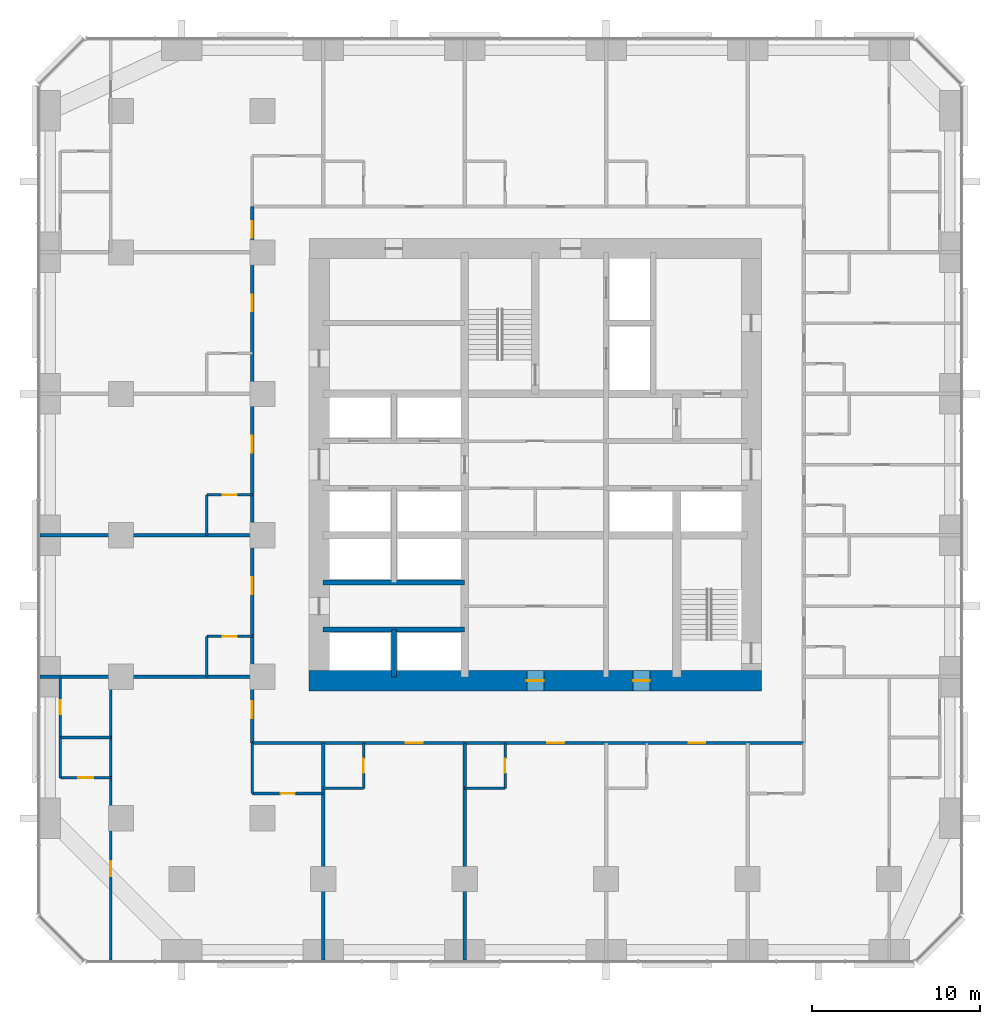
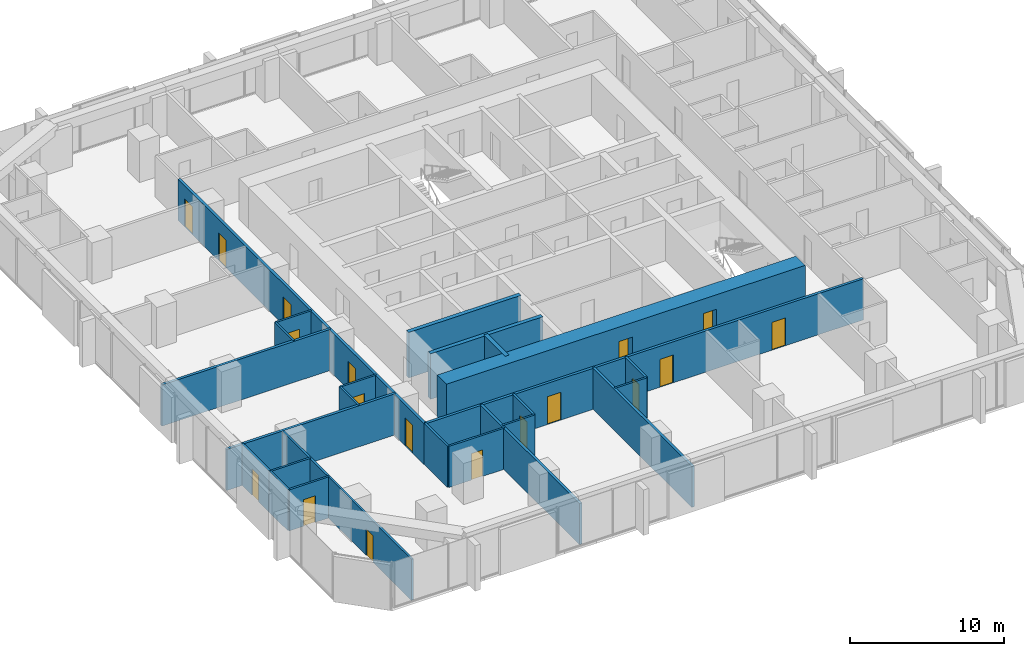
# One storey, part 8 of 13: 25 walls, 18 doors, 18 openings.
"""IFC4 building model written with IfcOpenShell, lengths in metres."""

import ifcopenshell
import ifcopenshell.guid

model = None  # the IFC model being written
_history = None  # IfcOwnerHistory: only IFC2X3 demands one
_inside = {}  # id of a spatial element -> (the spatial element, [elements in it])
_under = {}  # id of a project, library or spatial element -> (it, [spatial elements below it])
_declared = {}  # id of a project -> (the project, [libraries it declares])
_typed = {}  # id of a type object -> (the type object, [elements of that type])
_made_of = {}  # id of a material, layer set ... -> (it, [elements and type objects made of it])


def new_model(schema):
    """Start an empty IFC model of exactly this schema.

    Asked for "IFC4X3", IfcOpenShell would pick the latest addendum, in which some entities
    have other attributes; the version numbers below select the first issue.
    IFC2X3 requires an IfcOwnerHistory on every rooted entity: one is made here for all.
    """
    global model, _history
    if schema == "IFC4X3":
        model = ifcopenshell.file(schema_version=(4, 3, 0, 0))
    else:
        model = ifcopenshell.file(schema=schema)
    _inside.clear()
    _under.clear()
    _declared.clear()
    _typed.clear()
    _made_of.clear()
    _history = None
    if model.schema == "IFC2X3":
        org = make("IfcOrganization", Name="unknown")
        user = make(
            "IfcPersonAndOrganization",
            ThePerson=make("IfcPerson", FamilyName="unknown"),
            TheOrganization=org,
        )
        app = make(
            "IfcApplication",
            ApplicationDeveloper=org,
            Version="unknown",
            ApplicationFullName="unknown",
            ApplicationIdentifier="unknown",
        )
        _history = make(
            "IfcOwnerHistory",
            OwningUser=user,
            OwningApplication=app,
            ChangeAction="ADDED",
            CreationDate=0,
        )
    return model


def make(cls, **values):
    """One entity of the class cls with the attributes given. An attribute that is None is left unset."""
    return model.create_entity(
        cls, **{name: value for name, value in values.items() if value is not None}
    )


def rooted(cls, **values):
    """An entity with a GlobalId (a new one), such as an element, a storey or a relation."""
    return make(cls, GlobalId=ifcopenshell.guid.new(), OwnerHistory=_history, **values)


def si_unit(unit_type, name, prefix=None):
    """IfcSIUnit, for example si_unit("LENGTHUNIT", "METRE", prefix="MILLI")."""
    return make("IfcSIUnit", UnitType=unit_type, Prefix=prefix, Name=name)


def assignment(units):
    """IfcUnitAssignment: the units of a project."""
    return None if units is None else make("IfcUnitAssignment", Units=units)


def point(xyz):
    """IfcCartesianPoint."""
    return None if xyz is None else make("IfcCartesianPoint", Coordinates=xyz)


def direction(xyz):
    """IfcDirection."""
    return None if xyz is None else make("IfcDirection", DirectionRatios=xyz)


def frame(location, z_axis=None, x_axis=None):
    """IfcAxis2Placement3D, a coordinate frame: its origin and axes. An axis left out is left unset."""
    return make(
        "IfcAxis2Placement3D",
        Location=point(location),
        Axis=direction(z_axis),
        RefDirection=direction(x_axis),
    )


def frame_2d(location, x_axis=None):
    """IfcAxis2Placement2D, a coordinate frame in the plane: its origin and x axis."""
    return make(
        "IfcAxis2Placement2D", Location=point(location), RefDirection=direction(x_axis)
    )


def origin():
    """The frame at (0, 0, 0) with its axes left unset."""
    return frame((0.0, 0.0, 0.0))


def place(relative_to, where):
    """IfcLocalPlacement: puts the frame where relative to a parent placement (None: the world)."""
    return make(
        "IfcLocalPlacement", PlacementRelTo=relative_to, RelativePlacement=where
    )


def context(
    kind, dimensions, precision=None, world=None, true_north=None, identifier=None
):
    """IfcGeometricRepresentationContext, for example the 3D "Model" context."""
    return make(
        "IfcGeometricRepresentationContext",
        ContextIdentifier=identifier,
        ContextType=kind,
        CoordinateSpaceDimension=dimensions,
        Precision=precision,
        WorldCoordinateSystem=world,
        TrueNorth=true_north,
    )


def subcontext(parent, identifier, kind, view, scale=None):
    """IfcGeometricRepresentationSubContext, for example "Body" below "Model"."""
    return make(
        "IfcGeometricRepresentationSubContext",
        ContextIdentifier=identifier,
        ContextType=kind,
        ParentContext=parent,
        TargetScale=scale,
        TargetView=view,
    )


def project(units=None, contexts=None):
    """IfcProject with its units and contexts."""
    return rooted(
        "IfcProject",
        Name="project",
        RepresentationContexts=contexts,
        UnitsInContext=assignment(units),
    )


def spatial(cls, under=None, at=None, **own):
    """A site, building, storey or space (cls), placed at a placement, below another one or the project."""
    s = rooted(cls, ObjectPlacement=at, **own)
    if under is not None:
        _under.setdefault(under.id(), (under, []))[1].append(s)
    return s


def profile(cls, at=None, kind="AREA", **sizes):
    """A parametric profile (cls). Its sizes go by their IFC names, for example OverallWidth=200.0."""
    return make(cls, ProfileType=kind, Position=at, **sizes)


def rectangle(**sizes):
    """IfcRectangleProfileDef."""
    return profile("IfcRectangleProfileDef", **sizes)


def extrude(swept, where, along, depth):
    """IfcExtrudedAreaSolid: the profile swept, set in the frame where, extruded along a direction by depth."""
    return make(
        "IfcExtrudedAreaSolid",
        SweptArea=swept,
        Position=where,
        ExtrudedDirection=direction(along),
        Depth=depth,
    )


def shape(context_of_items, identifier, shape_type, items):
    """IfcShapeRepresentation: the items that make up one representation, for example the "Body"."""
    return make(
        "IfcShapeRepresentation",
        ContextOfItems=context_of_items,
        RepresentationIdentifier=identifier,
        RepresentationType=shape_type,
        Items=items,
    )


def material(Name=None, Category=None):
    """IfcMaterial."""
    return make("IfcMaterial", Name=Name, Category=Category)


def layer(
    of_material, thickness, ventilated=None, Name=None, Category=None, Priority=None
):
    """IfcMaterialLayer: one layer of a wall or slab, of a material (None: an air gap)."""
    return make(
        "IfcMaterialLayer",
        Material=of_material,
        LayerThickness=thickness,
        IsVentilated=ventilated,
        Name=Name,
        Category=Category,
        Priority=Priority,
    )


def layer_set(layers, Name=None):
    """IfcMaterialLayerSet."""
    return make("IfcMaterialLayerSet", MaterialLayers=layers, LayerSetName=Name)


def made_of(thing, what):
    """Note that an element or type object is made of a material, layer set ...; save() writes the relation."""
    if what is not None:
        _made_of.setdefault(what.id(), (what, []))[1].append(thing)
    return thing


def type_object(cls, material=None, **own):
    """A type object (cls), such as IfcWallType, which elements share."""
    return made_of(rooted(cls, **own), material)


def element(
    cls,
    number,
    at=None,
    inside=None,
    cuts=None,
    type_object=None,
    material=None,
    context=None,
    identifier="Body",
    shape_type=None,
    held_by="IfcProductDefinitionShape",
    body=None,
    shapes=None,
    **own,
):
    """One element of the class cls, such as IfcWall. Its Tag is "e" and its number.

    at: its placement. inside: the storey or other place that contains it. cuts: it is an
    opening in that element (IfcRelVoidsElement). A single representation is given by context,
    identifier, shape_type and body (its items); several are given by shapes. held_by: the class
    of the entity that holds the representations. save() writes the other relations.
    """
    e = rooted(cls, Tag="e%d" % number, ObjectPlacement=at, **own)
    if body is not None:
        shapes = [shape(context, identifier, shape_type, body)]
    if shapes is not None:
        e.Representation = make(held_by, Representations=shapes)
    if inside is not None:
        _inside.setdefault(inside.id(), (inside, []))[1].append(e)
    if cuts is not None:
        rooted(
            "IfcRelVoidsElement", RelatingBuildingElement=cuts, RelatedOpeningElement=e
        )
    if type_object is not None:
        _typed.setdefault(type_object.id(), (type_object, []))[1].append(e)
    return made_of(e, material)


def fill(opening, filler):
    """IfcRelFillsElement: the door or window that sits in an opening."""
    return rooted(
        "IfcRelFillsElement",
        RelatingOpeningElement=opening,
        RelatedBuildingElement=filler,
    )


def aggregate(whole, parts):
    """IfcRelAggregates: a whole, such as a stair, and the parts it consists of."""
    return rooted("IfcRelAggregates", RelatingObject=whole, RelatedObjects=parts)


def save(model, path):
    """Write the relations noted so far, then the file.

    IfcRelAggregates (storeys below a building ...), IfcRelContainedInSpatialStructure (elements
    in a storey), IfcRelDefinesByType, IfcRelAssociatesMaterial and IfcRelDeclares: one each for
    every whole, place, type object, material and project.
    """
    for whole, parts in _under.values():
        aggregate(whole, parts)
    for where, things in _inside.values():
        rooted(
            "IfcRelContainedInSpatialStructure",
            RelatedElements=things,
            RelatingStructure=where,
        )
    for kind, things in _typed.values():
        rooted("IfcRelDefinesByType", RelatedObjects=things, RelatingType=kind)
    for what, things in _made_of.values():
        rooted("IfcRelAssociatesMaterial", RelatedObjects=things, RelatingMaterial=what)
    for by, libraries in _declared.values():
        rooted("IfcRelDeclares", RelatingContext=by, RelatedDefinitions=libraries)
    model.write(path)


model = new_model("IFC4")

# Units and contexts
model_context = context("Model", 3, precision=1e-05, world=origin(), true_north=direction((0.0, 1.0)))
body_context = subcontext(model_context, "Body", "Model", "MODEL_VIEW")
ifc_project = project(units=[si_unit("LENGTHUNIT", "METRE"), si_unit("AREAUNIT", "SQUARE_METRE"), si_unit("VOLUMEUNIT", "CUBIC_METRE"), si_unit("PLANEANGLEUNIT", "RADIAN"), si_unit("MASSUNIT", "GRAM", prefix="KILO")], contexts=[model_context])

# Site, building, storey
site_placement = place(None, origin())
site = spatial("IfcSite", under=ifc_project, at=site_placement, CompositionType="ELEMENT")
building_placement = place(site_placement, origin())
building = spatial("IfcBuilding", under=site, at=building_placement, Name="Dunama Terrace Hotel", CompositionType="ELEMENT")
storey_placement = place(building_placement, frame((0.0, 0.0, 111.60009765625)))
storey = spatial("IfcBuildingStorey", under=building, at=storey_placement, Name="L28", CompositionType="ELEMENT", Elevation=111.60009765625)

# Wall, opening, door
ifc_material_1 = material(Name="Gypsum board partition", Category="masonry")
ifc_layer_1 = layer(ifc_material_1, 0.14990234375)
ifc_layer_set_1 = layer_set([ifc_layer_1], Name="Bathroom partition 150")
wall_type_1 = type_object("IfcWallType", Name="Bathroom partition 150", PredefinedType="PARTITIONING", material=ifc_layer_set_1)
wall_1_placement = place(storey_placement, frame((1.199951171875, 13.199951171875, 0.0), z_axis=(0.0, 0.0, 1.0), x_axis=(0.0, 1.0, 0.0)))
wall_1 = element("IfcWall", 1, at=wall_1_placement, inside=storey, type_object=wall_type_1, Name="Bathroom partition 150 L28", PredefinedType="PARTITIONING", context=body_context, shape_type="SweptSolid", body=[
    extrude(rectangle(XDim=3.60009765625, YDim=0.14990234375, at=frame_2d((1.800048828125, 0.0))), origin(), (0.0, 0.0, 1.0), 3.25),
])
opening_1_placement = place(wall_1_placement, frame((1.375, 0.0, 0.0)))
opening_1 = element("IfcOpeningElement", 2, at=opening_1_placement, cuts=wall_1, Name="Opening L28-29-044", PredefinedType="OPENING", context=body_context, shape_type="SweptSolid", body=[
    extrude(rectangle(XDim=0.85009765625, YDim=2.10009765625, at=frame_2d((0.425048828125, 1.050048828125))), frame((0.0, 0.0849609375, 0.0), z_axis=(0.0, -1.0, 0.0), x_axis=(1.0, 0.0, 0.0)), (0.0, 0.0, 1.0), 0.169921875),
])
ifc_material_2 = material(Name="Timber door with steel frame", Category="steel")
door_type_1 = type_object("IfcDoorType", Name="Bathroom door 850", OperationType="SINGLE_SWING_LEFT", PredefinedType="DOOR", material=ifc_material_2)
door_1_placement = place(opening_1_placement, frame((0.85009765625, 0.0, 0.0), z_axis=(0.0, 0.0, 1.0), x_axis=(-1.0, 0.0, 0.0)))
door_1 = element("IfcDoor", 3, at=door_1_placement, inside=storey, type_object=door_type_1, Name="Door to en-suite bathroom L28-29-044, type D2", OperationType="SINGLE_SWING_LEFT", OverallHeight=2.10009765625, OverallWidth=0.85009765625, PredefinedType="DOOR", context=body_context, shape_type="SweptSolid", body=[
    extrude(rectangle(XDim=0.85009765625, YDim=2.10009765625, at=frame_2d((0.425048828125, 1.050048828125))), frame((0.0, 0.025146484375, 0.0), z_axis=(0.0, -1.0, 0.0), x_axis=(1.0, 0.0, 0.0)), (0.0, 0.0, 1.0), 0.050048828125),
])
fill(opening_1, door_1)

# Walls
wall_2_placement = place(storey_placement, frame((9.89990234375, 16.800048828125, 0.0), z_axis=(0.0, 0.0, 1.0), x_axis=(0.0, 1.0, 0.0)))
element("IfcWall", 4, at=wall_2_placement, inside=storey, type_object=wall_type_1, Name="Bathroom partition 150 L28", PredefinedType="PARTITIONING", context=body_context, shape_type="SweptSolid", body=[
    extrude(rectangle(XDim=2.39990234375, YDim=0.14990234375, at=frame_2d((1.199951171875, 0.0))), origin(), (0.0, 0.0, 1.0), 3.25),
])
wall_3_placement = place(storey_placement, frame((9.89990234375, 25.199951171875, 0.0), z_axis=(0.0, 0.0, 1.0), x_axis=(0.0, 1.0, 0.0)))
element("IfcWall", 5, at=wall_3_placement, inside=storey, type_object=wall_type_1, Name="Bathroom partition 150 L28", PredefinedType="PARTITIONING", context=body_context, shape_type="SweptSolid", body=[
    extrude(rectangle(XDim=2.400146484375, YDim=0.14990234375, at=frame_2d((1.2001953125, 0.0))), origin(), (0.0, 0.0, 1.0), 3.25),
])
wall_4_placement = place(storey_placement, frame((12.60009765625, 9.875, 0.0), z_axis=(0.0, 0.0, 1.0), x_axis=(0.0, 1.0, 0.0)))
element("IfcWall", 6, at=wall_4_placement, inside=storey, type_object=wall_type_1, Name="Bathroom partition 150 L28", PredefinedType="PARTITIONING", context=body_context, shape_type="SweptSolid", body=[
    extrude(rectangle(XDim=3.0, YDim=0.14990234375, at=frame_2d((1.5, 0.0))), origin(), (0.0, 0.0, 1.0), 3.25),
])

# Wall, opening, door
wall_5_placement = place(storey_placement, frame((19.199951171875, 10.175048828125, 0.0), z_axis=(0.0, 0.0, 1.0), x_axis=(0.0, 1.0, 0.0)))
wall_5 = element("IfcWall", 7, at=wall_5_placement, inside=storey, type_object=wall_type_1, Name="Bathroom partition 150 L28", PredefinedType="PARTITIONING", context=body_context, shape_type="SweptSolid", body=[
    extrude(rectangle(XDim=2.699951171875, YDim=0.14990234375, at=frame_2d((1.35009765625, 0.0))), origin(), (0.0, 0.0, 1.0), 3.25),
])
opening_2_placement = place(wall_5_placement, frame((0.925048828125, 0.0, 0.0)))
opening_2 = element("IfcOpeningElement", 8, at=opening_2_placement, cuts=wall_5, Name="Opening L28-29-012", PredefinedType="OPENING", context=body_context, shape_type="SweptSolid", body=[
    extrude(rectangle(XDim=0.85009765625, YDim=2.10009765625, at=frame_2d((0.425048828125, 1.050048828125))), frame((0.0, 0.0849609375, 0.0), z_axis=(0.0, -1.0, 0.0), x_axis=(1.0, 0.0, 0.0)), (0.0, 0.0, 1.0), 0.169921875),
])
door_2_placement = place(opening_2_placement, origin())
door_2 = element("IfcDoor", 9, at=door_2_placement, inside=storey, type_object=door_type_1, Name="Door to en-suite bathroom L28-29-012, type D2", OperationType="SINGLE_SWING_RIGHT", OverallHeight=2.10009765625, OverallWidth=0.85009765625, PredefinedType="DOOR", context=body_context, shape_type="SweptSolid", body=[
    extrude(rectangle(XDim=0.85009765625, YDim=2.10009765625, at=frame_2d((0.425048828125, 1.050048828125))), frame((0.0, 0.02490234375, 0.0), z_axis=(0.0, -1.0, 0.0), x_axis=(1.0, 0.0, 0.0)), (0.0, 0.0, 1.0), 0.050048828125),
])
fill(opening_2, door_2)

wall_6_placement = place(storey_placement, frame((27.60009765625, 10.175048828125, 0.0), z_axis=(0.0, 0.0, 1.0), x_axis=(0.0, 1.0, 0.0)))
wall_6 = element("IfcWall", 10, at=wall_6_placement, inside=storey, type_object=wall_type_1, Name="Bathroom partition 150 L28", PredefinedType="PARTITIONING", context=body_context, shape_type="SweptSolid", body=[
    extrude(rectangle(XDim=2.699951171875, YDim=0.14990234375, at=frame_2d((1.35009765625, 0.0))), origin(), (0.0, 0.0, 1.0), 3.25),
])
opening_3_placement = place(wall_6_placement, frame((0.925048828125, 0.0, 0.0)))
opening_3 = element("IfcOpeningElement", 11, at=opening_3_placement, cuts=wall_6, Name="Opening L28-29-014", PredefinedType="OPENING", context=body_context, shape_type="SweptSolid", body=[
    extrude(rectangle(XDim=0.85009765625, YDim=2.10009765625, at=frame_2d((0.425048828125, 1.050048828125))), frame((0.0, 0.0849609375, 0.0), z_axis=(0.0, -1.0, 0.0), x_axis=(1.0, 0.0, 0.0)), (0.0, 0.0, 1.0), 0.169921875),
])
door_3_placement = place(opening_3_placement, origin())
door_3 = element("IfcDoor", 12, at=door_3_placement, inside=storey, type_object=door_type_1, Name="Door to en-suite bathroom L28-29-014, type D2", OperationType="SINGLE_SWING_RIGHT", OverallHeight=2.10009765625, OverallWidth=0.85009765625, PredefinedType="DOOR", context=body_context, shape_type="SweptSolid", body=[
    extrude(rectangle(XDim=0.85009765625, YDim=2.10009765625, at=frame_2d((0.425048828125, 1.050048828125))), frame((0.0, 0.02490234375, 0.0), z_axis=(0.0, -1.0, 0.0), x_axis=(1.0, 0.0, 0.0)), (0.0, 0.0, 1.0), 0.050048828125),
])
fill(opening_3, door_3)

wall_7_placement = place(storey_placement, frame((12.60009765625, 9.875, 0.0), z_axis=(0.0, 0.0, 1.0), x_axis=(1.0, 0.0, 0.0)))
wall_7 = element("IfcWall", 13, at=wall_7_placement, inside=storey, type_object=wall_type_1, Name="Bathroom partition 150 L28", PredefinedType="PARTITIONING", context=body_context, shape_type="SweptSolid", body=[
    extrude(rectangle(XDim=4.199951171875, YDim=0.14990234375, at=frame_2d((2.10009765625, 0.0))), origin(), (0.0, 0.0, 1.0), 3.25),
])
opening_4_placement = place(wall_7_placement, frame((1.675048828125, 0.0, 0.0)))
opening_4 = element("IfcOpeningElement", 14, at=opening_4_placement, cuts=wall_7, Name="Opening L28-29-042", PredefinedType="OPENING", context=body_context, shape_type="SweptSolid", body=[
    extrude(rectangle(XDim=0.85009765625, YDim=2.10009765625, at=frame_2d((0.425048828125, 1.050048828125))), frame((0.0, 0.0849609375, 0.0), z_axis=(0.0, -1.0, 0.0), x_axis=(1.0, 0.0, 0.0)), (0.0, 0.0, 1.0), 0.169921875),
])
door_4_placement = place(opening_4_placement, origin())
door_4 = element("IfcDoor", 15, at=door_4_placement, inside=storey, type_object=door_type_1, Name="Door to powder room L28-29-042, type D2", OperationType="SINGLE_SWING_LEFT", OverallHeight=2.10009765625, OverallWidth=0.85009765625, PredefinedType="DOOR", context=body_context, shape_type="SweptSolid", body=[
    extrude(rectangle(XDim=0.85009765625, YDim=2.10009765625, at=frame_2d((0.425048828125, 1.050048828125))), frame((0.0, 0.02490234375, 0.0), z_axis=(0.0, -1.0, 0.0), x_axis=(1.0, 0.0, 0.0)), (0.0, 0.0, 1.0), 0.050048828125),
])
fill(opening_4, door_4)

# Walls
wall_8_placement = place(storey_placement, frame((16.800048828125, 10.175048828125, 0.0), z_axis=(0.0, 0.0, 1.0), x_axis=(1.0, 0.0, 0.0)))
element("IfcWall", 16, at=wall_8_placement, inside=storey, type_object=wall_type_1, Name="Bathroom partition 150 L28", PredefinedType="PARTITIONING", context=body_context, shape_type="SweptSolid", body=[
    extrude(rectangle(XDim=2.39990234375, YDim=0.14990234375, at=frame_2d((1.199951171875, 0.0))), origin(), (0.0, 0.0, 1.0), 3.25),
])
wall_9_placement = place(storey_placement, frame((25.199951171875, 10.175048828125, 0.0), z_axis=(0.0, 0.0, 1.0), x_axis=(1.0, 0.0, 0.0)))
element("IfcWall", 17, at=wall_9_placement, inside=storey, type_object=wall_type_1, Name="Bathroom partition 150 L28", PredefinedType="PARTITIONING", context=body_context, shape_type="SweptSolid", body=[
    extrude(rectangle(XDim=2.400146484375, YDim=0.14990234375, at=frame_2d((1.2001953125, 0.0))), origin(), (0.0, 0.0, 1.0), 3.25),
])

# Wall, opening, door
wall_10_placement = place(storey_placement, frame((9.89990234375, 19.199951171875, 0.0), z_axis=(0.0, 0.0, 1.0), x_axis=(1.0, 0.0, 0.0)))
wall_10 = element("IfcWall", 18, at=wall_10_placement, inside=storey, type_object=wall_type_1, Name="Bathroom partition 150 L28", PredefinedType="PARTITIONING", context=body_context, shape_type="SweptSolid", body=[
    extrude(rectangle(XDim=2.7001953125, YDim=0.14990234375, at=frame_2d((1.35009765625, 0.0))), origin(), (0.0, 0.0, 1.0), 3.25),
])
opening_5_placement = place(wall_10_placement, frame((0.925048828125, 0.0, 0.0)))
opening_5 = element("IfcOpeningElement", 19, at=opening_5_placement, cuts=wall_10, Name="Opening L28-29-036", PredefinedType="OPENING", context=body_context, shape_type="SweptSolid", body=[
    extrude(rectangle(XDim=0.85009765625, YDim=2.10009765625, at=frame_2d((0.425048828125, 1.050048828125))), frame((0.0, 0.0849609375, 0.0), z_axis=(0.0, -1.0, 0.0), x_axis=(1.0, 0.0, 0.0)), (0.0, 0.0, 1.0), 0.169921875),
])
door_5_placement = place(opening_5_placement, frame((0.85009765625, 0.0, 0.0), z_axis=(0.0, 0.0, 1.0), x_axis=(-1.0, 0.0, 0.0)))
door_5 = element("IfcDoor", 20, at=door_5_placement, inside=storey, type_object=door_type_1, Name="Door to en-suite bathroom L28-29-036, type D2", OperationType="SINGLE_SWING_LEFT", OverallHeight=2.10009765625, OverallWidth=0.85009765625, PredefinedType="DOOR", context=body_context, shape_type="SweptSolid", body=[
    extrude(rectangle(XDim=0.85009765625, YDim=2.10009765625, at=frame_2d((0.425048828125, 1.050048828125))), frame((0.0, 0.025146484375, 0.0), z_axis=(0.0, -1.0, 0.0), x_axis=(1.0, 0.0, 0.0)), (0.0, 0.0, 1.0), 0.050048828125),
])
fill(opening_5, door_5)

wall_11_placement = place(storey_placement, frame((9.89990234375, 27.60009765625, 0.0), z_axis=(0.0, 0.0, 1.0), x_axis=(1.0, 0.0, 0.0)))
wall_11 = element("IfcWall", 21, at=wall_11_placement, inside=storey, type_object=wall_type_1, Name="Bathroom partition 150 L28", PredefinedType="PARTITIONING", context=body_context, shape_type="SweptSolid", body=[
    extrude(rectangle(XDim=2.7001953125, YDim=0.14990234375, at=frame_2d((1.35009765625, 0.0))), origin(), (0.0, 0.0, 1.0), 3.25),
])
opening_6_placement = place(wall_11_placement, frame((0.925048828125, 0.0, 0.0)))
opening_6 = element("IfcOpeningElement", 22, at=opening_6_placement, cuts=wall_11, Name="Opening L28-29-038", PredefinedType="OPENING", context=body_context, shape_type="SweptSolid", body=[
    extrude(rectangle(XDim=0.85009765625, YDim=2.10009765625, at=frame_2d((0.425048828125, 1.050048828125))), frame((0.0, 0.0849609375, 0.0), z_axis=(0.0, -1.0, 0.0), x_axis=(1.0, 0.0, 0.0)), (0.0, 0.0, 1.0), 0.169921875),
])
door_6_placement = place(opening_6_placement, frame((0.85009765625, 0.0, 0.0), z_axis=(0.0, 0.0, 1.0), x_axis=(-1.0, 0.0, 0.0)))
door_6 = element("IfcDoor", 23, at=door_6_placement, inside=storey, type_object=door_type_1, Name="Door to en-suite bathroom L28-29-038, type D2", OperationType="SINGLE_SWING_LEFT", OverallHeight=2.10009765625, OverallWidth=0.85009765625, PredefinedType="DOOR", context=body_context, shape_type="SweptSolid", body=[
    extrude(rectangle(XDim=0.85009765625, YDim=2.10009765625, at=frame_2d((0.425048828125, 1.050048828125))), frame((0.0, 0.025146484375, 0.0), z_axis=(0.0, -1.0, 0.0), x_axis=(1.0, 0.0, 0.0)), (0.0, 0.0, 1.0), 0.050048828125),
])
fill(opening_6, door_6)

# Walls
ifc_material_3 = material(Name="Concrete C50/60", Category="concrete")
ifc_layer_2 = layer(ifc_material_3, 0.300048828125)
ifc_layer_set_2 = layer_set([ifc_layer_2], Name="Core inner wall 300")
wall_type_2 = type_object("IfcWallType", Name="Core inner wall 300", PredefinedType="SHEAR", material=ifc_layer_set_2)
wall_12_placement = place(storey_placement, frame((21.0, 16.800048828125, -0.35009765625), z_axis=(0.0, 0.0, 1.0), x_axis=(0.0, 1.0, 0.0)))
element("IfcWall", 24, at=wall_12_placement, inside=storey, type_object=wall_type_2, Name="Core inner wall 300 L28", PredefinedType="SHEAR", context=body_context, shape_type="SweptSolid", body=[
    extrude(rectangle(XDim=2.800048828125, YDim=0.300048828125, at=frame_2d((1.39990234375, 0.0))), origin(), (0.0, 0.0, 1.0), 3.60009765625),
])
for number, where, z_axis, x_axis, name in (
    (25, (16.800048828125, 19.60009765625, -0.35009765625), (0.0, 0.0, 1.0), (1.0, 0.0, 0.0), "Core inner wall 300 L28"),
    (26, (16.800048828125, 22.39990234375, -0.35009765625), (0.0, 0.0, 1.0), (1.0, 0.0, 0.0), "Core inner wall 300 L28"),
):
    element("IfcWall", number, at=place(storey_placement, frame(where, z_axis=z_axis, x_axis=x_axis)), inside=storey, type_object=wall_type_2, Name=name, PredefinedType="SHEAR", context=body_context, shape_type="SweptSolid", body=[
        extrude(rectangle(XDim=8.39990234375, YDim=0.300048828125, at=frame_2d((4.199951171875, 0.0))), origin(), (0.0, 0.0, 1.0), 3.60009765625),
    ])

# Wall, openings, doors
ifc_material_4 = material(Name="Concrete C60/75", Category="concrete")
ifc_layer_3 = layer(ifc_material_4, 1.199951171875)
ifc_layer_set_3 = layer_set([ifc_layer_3], Name="Core wall 1200")
wall_type_3 = type_object("IfcWallType", Name="Core wall 1200", PredefinedType="SHEAR", material=ifc_layer_set_3)
wall_13_placement = place(storey_placement, frame((15.97509765625, 16.574951171875, -0.35009765625), z_axis=(0.0, 0.0, 1.0), x_axis=(1.0, 0.0, 0.0)))
wall_13 = element("IfcWall", 27, at=wall_13_placement, inside=storey, type_object=wall_type_3, Name="Core wall south L28", PredefinedType="SHEAR", context=body_context, shape_type="SweptSolid", body=[
    extrude(rectangle(XDim=26.849853515625, YDim=1.199951171875, at=frame_2d((13.4248046875, 0.0))), origin(), (0.0, 0.0, 1.0), 3.60009765625),
])
opening_7_placement = place(wall_13_placement, frame((12.925048828125, 0.0, 0.35009765625)))
opening_7 = element("IfcOpeningElement", 28, at=opening_7_placement, cuts=wall_13, Name="Opening L28-29-074", PredefinedType="OPENING", context=body_context, shape_type="SweptSolid", body=[
    extrude(rectangle(XDim=1.0, YDim=2.10009765625, at=frame_2d((0.5, 1.050048828125))), frame((0.0, 0.60986328125, 0.0), z_axis=(0.0, -1.0, 0.0), x_axis=(1.0, 0.0, 0.0)), (0.0, 0.0, 1.0), 1.219970703125),
])
opening_8_placement = place(wall_13_placement, frame((19.22509765625, 0.0, 0.35009765625)))
opening_8 = element("IfcOpeningElement", 29, at=opening_8_placement, cuts=wall_13, Name="Opening L28-29-076", PredefinedType="OPENING", context=body_context, shape_type="SweptSolid", body=[
    extrude(rectangle(XDim=1.0, YDim=2.10009765625, at=frame_2d((0.5, 1.050048828125))), frame((0.0, 0.60986328125, 0.0), z_axis=(0.0, -1.0, 0.0), x_axis=(1.0, 0.0, 0.0)), (0.0, 0.0, 1.0), 1.219970703125),
])
ifc_material_5 = material(Name="Timber door with steel frame", Category="steel")
door_type_2 = type_object("IfcDoorType", Name="Service door 1000", OperationType="SINGLE_SWING_LEFT", PredefinedType="DOOR", material=ifc_material_5)
door_7_placement = place(opening_7_placement, origin())
door_7 = element("IfcDoor", 30, at=door_7_placement, inside=storey, type_object=door_type_2, Name="Door to corridor air handling room L28-29-074, type D7", OperationType="SINGLE_SWING_LEFT", OverallHeight=2.10009765625, OverallWidth=1.0, PredefinedType="DOOR", context=body_context, shape_type="SweptSolid", body=[
    extrude(rectangle(XDim=1.0, YDim=2.10009765625, at=frame_2d((0.5, 1.050048828125))), frame((0.0, 0.02490234375, 0.0), z_axis=(0.0, -1.0, 0.0), x_axis=(1.0, 0.0, 0.0)), (0.0, 0.0, 1.0), 0.050048828125),
])
fill(opening_7, door_7)
door_8_placement = place(opening_8_placement, origin())
door_8 = element("IfcDoor", 31, at=door_8_placement, inside=storey, type_object=door_type_2, Name="Door to water riser room L28-29-076, type D7", OperationType="SINGLE_SWING_RIGHT", OverallHeight=2.10009765625, OverallWidth=1.0, PredefinedType="DOOR", context=body_context, shape_type="SweptSolid", body=[
    extrude(rectangle(XDim=1.0, YDim=2.10009765625, at=frame_2d((0.5, 1.050048828125))), frame((0.0, 0.02490234375, 0.0), z_axis=(0.0, -1.0, 0.0), x_axis=(1.0, 0.0, 0.0)), (0.0, 0.0, 1.0), 0.050048828125),
])
fill(opening_8, door_8)

ifc_material_6 = material(Name="Concrete blockwork", Category="masonry")
ifc_layer_4 = layer(ifc_material_6, 0.199951171875)
ifc_layer_set_4 = layer_set([ifc_layer_4], Name="Corridor partition 200")
wall_type_4 = type_object("IfcWallType", Name="Corridor partition 200", PredefinedType="PARTITIONING", material=ifc_layer_set_4)
wall_14_placement = place(storey_placement, frame((12.60009765625, 12.875, 0.0), z_axis=(0.0, 0.0, 1.0), x_axis=(0.0, 1.0, 0.0)))
wall_14 = element("IfcWall", 32, at=wall_14_placement, inside=storey, type_object=wall_type_4, Name="Corridor partition 200 L28", PredefinedType="PARTITIONING", context=body_context, shape_type="SweptSolid", body=[
    extrude(rectangle(XDim=31.85009765625, YDim=0.199951171875, at=frame_2d((15.925048828125, 0.0))), origin(), (0.0, 0.0, 1.0), 3.25),
])
opening_9_placement = place(wall_14_placement, frame((8.824951171875, 0.0, 0.0)))
opening_9 = element("IfcOpeningElement", 33, at=opening_9_placement, cuts=wall_14, Name="Opening L28-29-035", PredefinedType="OPENING", context=body_context, shape_type="SweptSolid", body=[
    extrude(rectangle(XDim=1.0, YDim=2.199951171875, at=frame_2d((0.5, 1.10009765625))), frame((0.0, 0.10986328125, 0.0), z_axis=(0.0, -1.0, 0.0), x_axis=(1.0, 0.0, 0.0)), (0.0, 0.0, 1.0), 0.219970703125),
])
opening_10_placement = place(wall_14_placement, frame((17.22509765625, 0.0, 0.0)))
opening_10 = element("IfcOpeningElement", 34, at=opening_10_placement, cuts=wall_14, Name="Opening L28-29-037", PredefinedType="OPENING", context=body_context, shape_type="SweptSolid", body=[
    extrude(rectangle(XDim=1.0, YDim=2.199951171875, at=frame_2d((0.5, 1.10009765625))), frame((0.0, 0.10986328125, 0.0), z_axis=(0.0, -1.0, 0.0), x_axis=(1.0, 0.0, 0.0)), (0.0, 0.0, 1.0), 0.219970703125),
])
opening_11_placement = place(wall_14_placement, frame((25.625, 0.0, 0.0)))
opening_11 = element("IfcOpeningElement", 35, at=opening_11_placement, cuts=wall_14, Name="Opening L28-29-039", PredefinedType="OPENING", context=body_context, shape_type="SweptSolid", body=[
    extrude(rectangle(XDim=1.0, YDim=2.199951171875, at=frame_2d((0.5, 1.10009765625))), frame((0.0, 0.10986328125, 0.0), z_axis=(0.0, -1.0, 0.0), x_axis=(1.0, 0.0, 0.0)), (0.0, 0.0, 1.0), 0.219970703125),
])
opening_12_placement = place(wall_14_placement, frame((1.462890625, 0.0, 0.0)))
opening_12 = element("IfcOpeningElement", 36, at=opening_12_placement, cuts=wall_14, Name="Opening L28-29-041", PredefinedType="OPENING", context=body_context, shape_type="SweptSolid", body=[
    extrude(rectangle(XDim=1.0, YDim=2.199951171875, at=frame_2d((0.5, 1.10009765625))), frame((0.0, 0.10986328125, 0.0), z_axis=(0.0, -1.0, 0.0), x_axis=(1.0, 0.0, 0.0)), (0.0, 0.0, 1.0), 0.219970703125),
])
opening_13_placement = place(wall_14_placement, frame((29.987060546875, 0.0, 0.0)))
opening_13 = element("IfcOpeningElement", 37, at=opening_13_placement, cuts=wall_14, Name="Opening L28-29-056", PredefinedType="OPENING", context=body_context, shape_type="SweptSolid", body=[
    extrude(rectangle(XDim=1.0, YDim=2.199951171875, at=frame_2d((0.5, 1.10009765625))), frame((0.0, 0.10986328125, 0.0), z_axis=(0.0, -1.0, 0.0), x_axis=(1.0, 0.0, 0.0)), (0.0, 0.0, 1.0), 0.219970703125),
])
ifc_material_7 = material(Name="Timber door with steel frame", Category="steel")
door_type_3 = type_object("IfcDoorType", Name="Guest room door 1000", OperationType="SINGLE_SWING_LEFT", PredefinedType="DOOR", material=ifc_material_7)
door_9_placement = place(opening_9_placement, origin())
door_9 = element("IfcDoor", 38, at=door_9_placement, inside=storey, type_object=door_type_3, Name="Door to junior suite L28-29-035, type D1", OperationType="SINGLE_SWING_RIGHT", OverallHeight=2.199951171875, OverallWidth=1.0, PredefinedType="DOOR", context=body_context, shape_type="SweptSolid", body=[
    extrude(rectangle(XDim=1.0, YDim=2.199951171875, at=frame_2d((0.5, 1.10009765625))), frame((0.0, 0.02490234375, 0.0), z_axis=(0.0, -1.0, 0.0), x_axis=(1.0, 0.0, 0.0)), (0.0, 0.0, 1.0), 0.050048828125),
])
fill(opening_9, door_9)
door_10_placement = place(opening_10_placement, origin())
door_10 = element("IfcDoor", 39, at=door_10_placement, inside=storey, type_object=door_type_3, Name="Door to junior suite L28-29-037, type D1", OperationType="SINGLE_SWING_RIGHT", OverallHeight=2.199951171875, OverallWidth=1.0, PredefinedType="DOOR", context=body_context, shape_type="SweptSolid", body=[
    extrude(rectangle(XDim=1.0, YDim=2.199951171875, at=frame_2d((0.5, 1.10009765625))), frame((0.0, 0.02490234375, 0.0), z_axis=(0.0, -1.0, 0.0), x_axis=(1.0, 0.0, 0.0)), (0.0, 0.0, 1.0), 0.050048828125),
])
fill(opening_10, door_10)
door_11_placement = place(opening_11_placement, origin())
door_11 = element("IfcDoor", 40, at=door_11_placement, inside=storey, type_object=door_type_3, Name="Door to junior suite L28-29-039, type D1", OperationType="SINGLE_SWING_RIGHT", OverallHeight=2.199951171875, OverallWidth=1.0, PredefinedType="DOOR", context=body_context, shape_type="SweptSolid", body=[
    extrude(rectangle(XDim=1.0, YDim=2.199951171875, at=frame_2d((0.5, 1.10009765625))), frame((0.0, 0.02490234375, 0.0), z_axis=(0.0, -1.0, 0.0), x_axis=(1.0, 0.0, 0.0)), (0.0, 0.0, 1.0), 0.050048828125),
])
fill(opening_11, door_11)
door_12_placement = place(opening_12_placement, origin())
door_12 = element("IfcDoor", 41, at=door_12_placement, inside=storey, type_object=door_type_3, Name="Door to corner suite living room L28-29-041, type D1", OperationType="SINGLE_SWING_RIGHT", OverallHeight=2.199951171875, OverallWidth=1.0, PredefinedType="DOOR", context=body_context, shape_type="SweptSolid", body=[
    extrude(rectangle(XDim=1.0, YDim=2.199951171875, at=frame_2d((0.5, 1.10009765625))), frame((0.0, 0.02490234375, 0.0), z_axis=(0.0, -1.0, 0.0), x_axis=(1.0, 0.0, 0.0)), (0.0, 0.0, 1.0), 0.050048828125),
])
fill(opening_12, door_12)
door_13_placement = place(opening_13_placement, origin())
door_13 = element("IfcDoor", 42, at=door_13_placement, inside=storey, type_object=door_type_3, Name="Door to corner suite living room L28-29-056, type D1", OperationType="SINGLE_SWING_LEFT", OverallHeight=2.199951171875, OverallWidth=1.0, PredefinedType="DOOR", context=body_context, shape_type="SweptSolid", body=[
    extrude(rectangle(XDim=1.0, YDim=2.199951171875, at=frame_2d((0.5, 1.10009765625))), frame((0.0, 0.02490234375, 0.0), z_axis=(0.0, -1.0, 0.0), x_axis=(1.0, 0.0, 0.0)), (0.0, 0.0, 1.0), 0.050048828125),
])
fill(opening_13, door_13)

wall_15_placement = place(storey_placement, frame((45.324951171875, 12.875, 0.0), z_axis=(0.0, 0.0, 1.0), x_axis=(-1.0, 0.0, 0.0)))
wall_15 = element("IfcWall", 43, at=wall_15_placement, inside=storey, type_object=wall_type_4, Name="Corridor partition 200 L28", PredefinedType="PARTITIONING", context=body_context, shape_type="SweptSolid", body=[
    extrude(rectangle(XDim=32.724853515625, YDim=0.199951171875, at=frame_2d((16.3623046875, 0.0))), origin(), (0.0, 0.0, 1.0), 3.25),
])
opening_14_placement = place(wall_15_placement, frame((22.625, 0.0, 0.0)))
opening_14 = element("IfcOpeningElement", 44, at=opening_14_placement, cuts=wall_15, Name="Opening L28-29-011", PredefinedType="OPENING", context=body_context, shape_type="SweptSolid", body=[
    extrude(rectangle(XDim=1.0, YDim=2.199951171875, at=frame_2d((0.5, 1.10009765625))), frame((0.0, 0.10986328125, 0.0), z_axis=(0.0, -1.0, 0.0), x_axis=(1.0, 0.0, 0.0)), (0.0, 0.0, 1.0), 0.219970703125),
])
opening_15_placement = place(wall_15_placement, frame((14.22509765625, 0.0, 0.0)))
opening_15 = element("IfcOpeningElement", 45, at=opening_15_placement, cuts=wall_15, Name="Opening L28-29-013", PredefinedType="OPENING", context=body_context, shape_type="SweptSolid", body=[
    extrude(rectangle(XDim=1.0, YDim=2.199951171875, at=frame_2d((0.5, 1.10009765625))), frame((0.0, 0.10986328125, 0.0), z_axis=(0.0, -1.0, 0.0), x_axis=(1.0, 0.0, 0.0)), (0.0, 0.0, 1.0), 0.219970703125),
])
opening_16_placement = place(wall_15_placement, frame((5.824951171875, 0.0, 0.0)))
opening_16 = element("IfcOpeningElement", 46, at=opening_16_placement, cuts=wall_15, Name="Opening L28-29-015", PredefinedType="OPENING", context=body_context, shape_type="SweptSolid", body=[
    extrude(rectangle(XDim=1.0, YDim=2.199951171875, at=frame_2d((0.5, 1.10009765625))), frame((0.0, 0.10986328125, 0.0), z_axis=(0.0, -1.0, 0.0), x_axis=(1.0, 0.0, 0.0)), (0.0, 0.0, 1.0), 0.219970703125),
])
door_14_placement = place(opening_14_placement, origin())
door_14 = element("IfcDoor", 47, at=door_14_placement, inside=storey, type_object=door_type_3, Name="Door to junior suite L28-29-011, type D1", OperationType="SINGLE_SWING_LEFT", OverallHeight=2.199951171875, OverallWidth=1.0, PredefinedType="DOOR", context=body_context, shape_type="SweptSolid", body=[
    extrude(rectangle(XDim=1.0, YDim=2.199951171875, at=frame_2d((0.5, 1.10009765625))), frame((0.0, 0.02490234375, 0.0), z_axis=(0.0, -1.0, 0.0), x_axis=(1.0, 0.0, 0.0)), (0.0, 0.0, 1.0), 0.050048828125),
])
fill(opening_14, door_14)
door_15_placement = place(opening_15_placement, origin())
door_15 = element("IfcDoor", 48, at=door_15_placement, inside=storey, type_object=door_type_3, Name="Door to junior suite L28-29-013, type D1", OperationType="SINGLE_SWING_LEFT", OverallHeight=2.199951171875, OverallWidth=1.0, PredefinedType="DOOR", context=body_context, shape_type="SweptSolid", body=[
    extrude(rectangle(XDim=1.0, YDim=2.199951171875, at=frame_2d((0.5, 1.10009765625))), frame((0.0, 0.02490234375, 0.0), z_axis=(0.0, -1.0, 0.0), x_axis=(1.0, 0.0, 0.0)), (0.0, 0.0, 1.0), 0.050048828125),
])
fill(opening_15, door_15)
door_16_placement = place(opening_16_placement, origin())
door_16 = element("IfcDoor", 49, at=door_16_placement, inside=storey, type_object=door_type_3, Name="Door to junior suite L28-29-015, type D1", OperationType="SINGLE_SWING_LEFT", OverallHeight=2.199951171875, OverallWidth=1.0, PredefinedType="DOOR", context=body_context, shape_type="SweptSolid", body=[
    extrude(rectangle(XDim=1.0, YDim=2.199951171875, at=frame_2d((0.5, 1.10009765625))), frame((0.0, 0.02490234375, 0.0), z_axis=(0.0, -1.0, 0.0), x_axis=(1.0, 0.0, 0.0)), (0.0, 0.0, 1.0), 0.050048828125),
])
fill(opening_16, door_16)

# Walls
ifc_material_8 = material(Name="Concrete blockwork", Category="masonry")
ifc_layer_5 = layer(ifc_material_8, 0.199951171875)
ifc_layer_set_5 = layer_set([ifc_layer_5], Name="Party wall 200")
wall_type_5 = type_object("IfcWallType", Name="Party wall 200", PredefinedType="PARTITIONING", material=ifc_layer_set_5)
for number, where, z_axis, x_axis, name in (
    (50, (16.800048828125, -0.01806640625, 0.0), (0.0, 0.0, 1.0), (0.0, 1.0, 0.0), "Party wall 200 L28"),
    (51, (25.199951171875, -0.01806640625, 0.0), (0.0, 0.0, 1.0), (0.0, 1.0, 0.0), "Party wall 200 L28"),
):
    element("IfcWall", number, at=place(storey_placement, frame(where, z_axis=z_axis, x_axis=x_axis)), inside=storey, type_object=wall_type_5, Name=name, PredefinedType="PARTITIONING", context=body_context, shape_type="SweptSolid", body=[
        extrude(rectangle(XDim=12.89306640625, YDim=0.199951171875, at=frame_2d((6.446533203125, 0.0))), origin(), (0.0, 0.0, 1.0), 3.25),
    ])
for number, where, z_axis, x_axis, name in (
    (52, (-0.01806640625, 16.800048828125, 0.0), (0.0, 0.0, 1.0), (1.0, 0.0, 0.0), "Party wall 200 L28"),
    (53, (-0.01806640625, 25.199951171875, 0.0), (0.0, 0.0, 1.0), (1.0, 0.0, 0.0), "Party wall 200 L28"),
):
    element("IfcWall", number, at=place(storey_placement, frame(where, z_axis=z_axis, x_axis=x_axis)), inside=storey, type_object=wall_type_5, Name=name, PredefinedType="PARTITIONING", context=body_context, shape_type="SweptSolid", body=[
        extrude(rectangle(XDim=12.6181640625, YDim=0.199951171875, at=frame_2d((6.30908203125, 0.0))), origin(), (0.0, 0.0, 1.0), 3.25),
    ])
ifc_material_9 = material(Name="Gypsum board partition", Category="masonry")
ifc_layer_6 = layer(ifc_material_9, 0.14990234375)
ifc_layer_set_6 = layer_set([ifc_layer_6], Name="Room partition 150")
wall_type_6 = type_object("IfcWallType", Name="Room partition 150", PredefinedType="PARTITIONING", material=ifc_layer_set_6)
wall_16_placement = place(storey_placement, frame((1.199951171875, 10.800048828125, 0.0), z_axis=(0.0, 0.0, 1.0), x_axis=(0.0, 1.0, 0.0)))
element("IfcWall", 54, at=wall_16_placement, inside=storey, type_object=wall_type_6, Name="Room partition 150 L28", PredefinedType="PARTITIONING", context=body_context, shape_type="SweptSolid", body=[
    extrude(rectangle(XDim=2.39990234375, YDim=0.14990234375, at=frame_2d((1.199951171875, 0.0))), origin(), (0.0, 0.0, 1.0), 3.25),
])

# Wall, opening, door
wall_17_placement = place(storey_placement, frame((4.199951171875, -0.01806640625, 0.0), z_axis=(0.0, 0.0, 1.0), x_axis=(0.0, 1.0, 0.0)))
wall_17 = element("IfcWall", 55, at=wall_17_placement, inside=storey, type_object=wall_type_6, Name="Room partition 150 L28", PredefinedType="PARTITIONING", context=body_context, shape_type="SweptSolid", body=[
    extrude(rectangle(XDim=16.818115234375, YDim=0.14990234375, at=frame_2d((8.4091796875, 0.0))), origin(), (0.0, 0.0, 1.0), 3.25),
])
opening_17_placement = place(wall_17_placement, frame((4.968017578125, 0.0, 0.0)))
opening_17 = element("IfcOpeningElement", 56, at=opening_17_placement, cuts=wall_17, Name="Opening L28-29-043", PredefinedType="OPENING", context=body_context, shape_type="SweptSolid", body=[
    extrude(rectangle(XDim=0.89990234375, YDim=2.10009765625, at=frame_2d((0.449951171875, 1.050048828125))), frame((0.0, 0.0849609375, 0.0), z_axis=(0.0, -1.0, 0.0), x_axis=(1.0, 0.0, 0.0)), (0.0, 0.0, 1.0), 0.169921875),
])
ifc_material_10 = material(Name="Timber door with steel frame", Category="steel")
door_type_4 = type_object("IfcDoorType", Name="Suite internal door 900", OperationType="SINGLE_SWING_LEFT", PredefinedType="DOOR", material=ifc_material_10)
door_17_placement = place(opening_17_placement, origin())
door_17 = element("IfcDoor", 57, at=door_17_placement, inside=storey, type_object=door_type_4, Name="Door to corner suite bedroom L28-29-043, type D16", OperationType="SINGLE_SWING_RIGHT", OverallHeight=2.10009765625, OverallWidth=0.89990234375, PredefinedType="DOOR", context=body_context, shape_type="SweptSolid", body=[
    extrude(rectangle(XDim=0.89990234375, YDim=2.10009765625, at=frame_2d((0.449951171875, 1.050048828125))), frame((0.0, 0.02490234375, 0.0), z_axis=(0.0, -1.0, 0.0), x_axis=(1.0, 0.0, 0.0)), (0.0, 0.0, 1.0), 0.050048828125),
])
fill(opening_17, door_17)

wall_18_placement = place(storey_placement, frame((1.199951171875, 10.800048828125, 0.0), z_axis=(0.0, 0.0, 1.0), x_axis=(1.0, 0.0, 0.0)))
wall_18 = element("IfcWall", 58, at=wall_18_placement, inside=storey, type_object=wall_type_6, Name="Room partition 150 L28", PredefinedType="PARTITIONING", context=body_context, shape_type="SweptSolid", body=[
    extrude(rectangle(XDim=3.0, YDim=0.14990234375, at=frame_2d((1.5, 0.0))), origin(), (0.0, 0.0, 1.0), 3.25),
])
opening_18_placement = place(wall_18_placement, frame((1.050048828125, 0.0, 0.0)))
opening_18 = element("IfcOpeningElement", 59, at=opening_18_placement, cuts=wall_18, Name="Opening L28-29-045", PredefinedType="OPENING", context=body_context, shape_type="SweptSolid", body=[
    extrude(rectangle(XDim=0.89990234375, YDim=2.10009765625, at=frame_2d((0.449951171875, 1.050048828125))), frame((0.0, 0.0849609375, 0.0), z_axis=(0.0, -1.0, 0.0), x_axis=(1.0, 0.0, 0.0)), (0.0, 0.0, 1.0), 0.169921875),
])
door_18_placement = place(opening_18_placement, origin())
door_18 = element("IfcDoor", 60, at=door_18_placement, inside=storey, type_object=door_type_4, Name="Door to dressing room L28-29-045, type D16", OperationType="SINGLE_SWING_RIGHT", OverallHeight=2.10009765625, OverallWidth=0.89990234375, PredefinedType="DOOR", context=body_context, shape_type="SweptSolid", body=[
    extrude(rectangle(XDim=0.89990234375, YDim=2.10009765625, at=frame_2d((0.449951171875, 1.050048828125))), frame((0.0, 0.02490234375, 0.0), z_axis=(0.0, -1.0, 0.0), x_axis=(1.0, 0.0, 0.0)), (0.0, 0.0, 1.0), 0.050048828125),
])
fill(opening_18, door_18)

# Wall
wall_19_placement = place(storey_placement, frame((1.199951171875, 13.199951171875, 0.0), z_axis=(0.0, 0.0, 1.0), x_axis=(1.0, 0.0, 0.0)))
element("IfcWall", 61, at=wall_19_placement, inside=storey, type_object=wall_type_6, Name="Room partition 150 L28", PredefinedType="PARTITIONING", context=body_context, shape_type="SweptSolid", body=[
    extrude(rectangle(XDim=3.0, YDim=0.14990234375, at=frame_2d((1.5, 0.0))), origin(), (0.0, 0.0, 1.0), 3.25),
])

save(model, "model.ifc")
